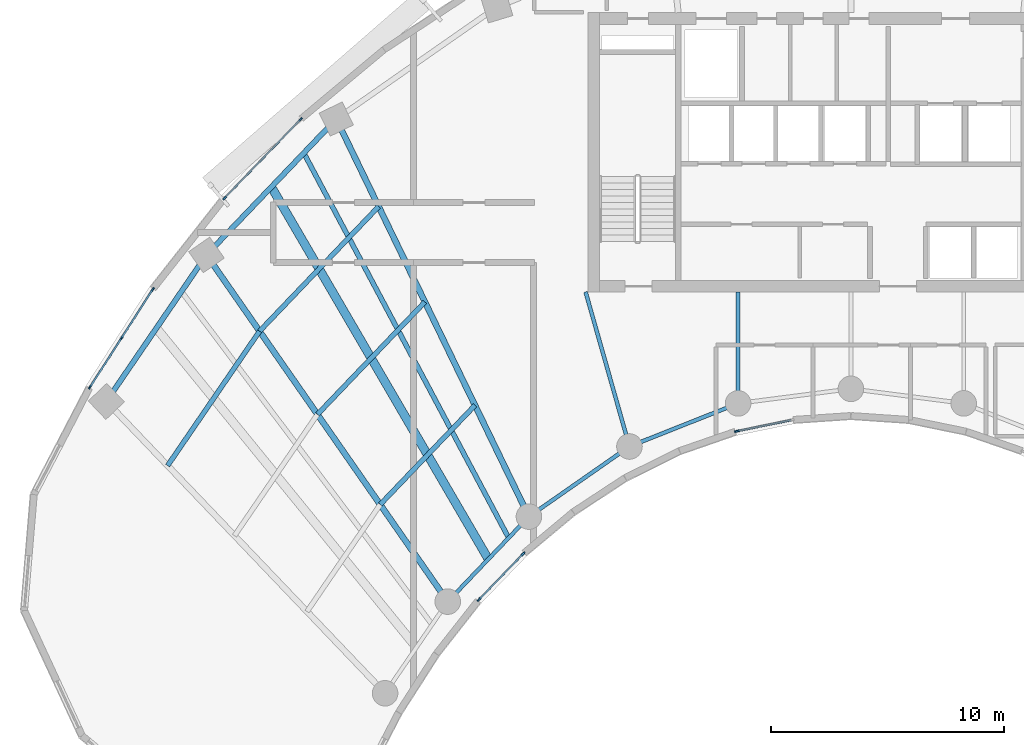
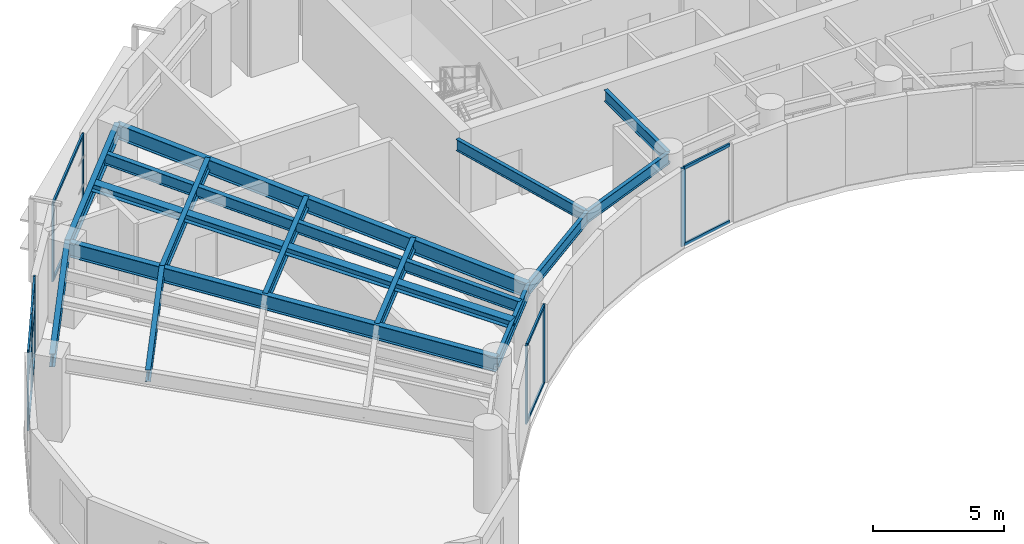
# One storey, part 2 of 14: 20 members, 15 beams, 4 elements without a shape of their own.
"""IFC4 building model written with IfcOpenShell, lengths in metres."""

from ifc_helpers import new_model, si_unit, direction, frame, origin, origin_2d, place, context, subcontext, project, spatial, rectangle, i_section, extrude, source, transform, mapped, material, layer, layer_set, material_profile, profile_set, type_object, type_shapes, element, aggregate, save


model = new_model("IFC4")

# Units and contexts
model_context = context("Model", 3, precision=1e-05, world=origin(), true_north=direction((0.0, 1.0)))
body_context = subcontext(model_context, "Body", "Model", "MODEL_VIEW")
ifc_project = project(units=[si_unit("LENGTHUNIT", "METRE"), si_unit("AREAUNIT", "SQUARE_METRE"), si_unit("VOLUMEUNIT", "CUBIC_METRE"), si_unit("PLANEANGLEUNIT", "RADIAN"), si_unit("MASSUNIT", "GRAM", prefix="KILO")], contexts=[model_context])

# Site, building, storey
site_placement = place(None, origin())
site = spatial("IfcSite", under=ifc_project, at=site_placement, CompositionType="ELEMENT")
building_placement = place(site_placement, origin())
building = spatial("IfcBuilding", under=site, at=building_placement, Name="Breltana Convention Tower", CompositionType="ELEMENT")
storey_placement = place(building_placement, frame((0.0, 0.0, 177.89990234375)))
storey = spatial("IfcBuildingStorey", under=building, at=storey_placement, Name="L43", CompositionType="ELEMENT", Elevation=177.89990234375)

# Beams
ifc_material_1 = material(Name="Steel ASTM A992 Grade 50", Category="steel")
ifc_material_profile_1 = material_profile(ifc_material_1, i_section(OverallWidth=0.2099609375, OverallDepth=0.537109375, WebThickness=0.010986328125, FlangeThickness=0.017333984375, at=origin_2d()), Name="W21X68")
ifc_profile_set_1 = profile_set([ifc_material_profile_1], Name="Steel ASTM A992 Grade 50")
beam_type_1 = type_object("IfcBeamType", Name="BM-JSG-04", PredefinedType="JOIST", material=ifc_profile_set_1)
shared_shape_1 = source(origin(), body_context, "Body", "SweptSolid", [
    extrude(i_section(OverallWidth=0.2099609375, OverallDepth=0.537109375, WebThickness=0.010986328125, FlangeThickness=0.017333984375, at=origin_2d()), origin(), (0.0, 0.0, 1.0), 6.997314453125),
])
beam_1_placement = place(storey_placement, frame((18.641845703125, 52.735595703125, 3.381591796875), z_axis=(0.564468756361, 0.825454434292, 0.0), x_axis=(-0.825454434292, 0.564468756361, 0.0)))
element("IfcBeam", 1, at=beam_1_placement, inside=storey, type_object=beam_type_1, Name="L43 Composite Floor Joist 01.3", PredefinedType="JOIST", context=body_context, shape_type="MappedRepresentation", body=[
    mapped(shared_shape_1, transform((0.0, 0.0, 0.0), scale=1.0)),
])
shared_shape_2 = source(origin(), body_context, "Body", "SweptSolid", [
    extrude(i_section(OverallWidth=0.2099609375, OverallDepth=0.537109375, WebThickness=0.010986328125, FlangeThickness=0.017333984375, at=origin_2d()), origin(), (0.0, 0.0, 1.0), 5.8974609375),
])
beam_2_placement = place(storey_placement, frame((27.774658203125, 51.063232421875, 3.381591796875), z_axis=(0.690713978666, 0.723128065888, 0.0), x_axis=(-0.723128065888, 0.690713978666, 0.0)))
element("IfcBeam", 2, at=beam_2_placement, inside=storey, type_object=beam_type_1, Name="L43 Composite Floor Joist 02.1", PredefinedType="JOIST", context=body_context, shape_type="MappedRepresentation", body=[
    mapped(shared_shape_2, transform((0.0, 0.0, 0.0), scale=1.0)),
])
shared_shape_3 = source(origin(), body_context, "Body", "SweptSolid", [
    extrude(i_section(OverallWidth=0.2099609375, OverallDepth=0.537109375, WebThickness=0.010986328125, FlangeThickness=0.017333984375, at=origin_2d()), origin(), (0.0, 0.0, 1.0), 6.68359375),
])
beam_3_placement = place(storey_placement, frame((25.079345703125, 54.936279296875, 3.381591796875), z_axis=(0.690720705885, 0.723121640156, 0.0), x_axis=(-0.723121640156, 0.690720705885, 0.0)))
element("IfcBeam", 3, at=beam_3_placement, inside=storey, type_object=beam_type_1, Name="L43 Composite Floor Joist 02.2", PredefinedType="JOIST", context=body_context, shape_type="MappedRepresentation", body=[
    mapped(shared_shape_3, transform((0.0, 0.0, 0.0), scale=1.0)),
])
shared_shape_4 = source(origin(), body_context, "Body", "SweptSolid", [
    extrude(i_section(OverallWidth=0.2099609375, OverallDepth=0.537109375, WebThickness=0.010986328125, FlangeThickness=0.017333984375, at=origin_2d()), origin(), (0.0, 0.0, 1.0), 7.40869140625),
])
beam_4_placement = place(storey_placement, frame((22.591552734375, 58.511474609375, 3.381591796875), z_axis=(0.690724936208, 0.723117599358, 0.0), x_axis=(-0.723117599358, 0.690724936208, 0.0)))
element("IfcBeam", 4, at=beam_4_placement, inside=storey, type_object=beam_type_1, Name="L43 Composite Floor Joist 02.3", PredefinedType="JOIST", context=body_context, shape_type="MappedRepresentation", body=[
    mapped(shared_shape_4, transform((0.0, 0.0, 0.0), scale=1.0)),
])
ifc_material_profile_2 = material_profile(ifc_material_1, i_section(OverallWidth=0.368896484375, OverallDepth=0.35595703125, WebThickness=0.01123046875, FlangeThickness=0.01806640625, at=origin_2d()), Name="W14X90")
ifc_profile_set_2 = profile_set([ifc_material_profile_2], Name="Steel ASTM A992 Grade 50")
beam_type_2 = type_object("IfcBeamType", Name="BM-JSG-09", PredefinedType="JOIST", material=ifc_profile_set_2)
shared_shape_5 = source(origin(), body_context, "Body", "SweptSolid", [
    extrude(i_section(OverallWidth=0.368896484375, OverallDepth=0.35595703125, WebThickness=0.01123046875, FlangeThickness=0.01806640625, at=origin_2d()), origin(), (0.0, 0.0, 1.0), 18.50830078125),
])
beam_5_placement = place(storey_placement, frame((32.421630859375, 48.71875, 3.47216796875), z_axis=(-0.50368319637, 0.863888440537, 0.0), x_axis=(-0.863888440537, -0.50368319637, 0.0)))
element("IfcBeam", 5, at=beam_5_placement, inside=storey, type_object=beam_type_2, Name="L43 Mid-Bay Radial Trimmer 02", PredefinedType="JOIST", context=body_context, shape_type="MappedRepresentation", body=[
    mapped(shared_shape_5, transform((0.0, 0.0, 0.0), scale=1.0)),
])
shared_shape_6 = source(origin(), body_context, "Body", "SweptSolid", [
    extrude(i_section(OverallWidth=0.2099609375, OverallDepth=0.537109375, WebThickness=0.010986328125, FlangeThickness=0.017333984375, at=origin_2d()), origin(), (0.0, 0.0, 1.0), 18.731689453125),
])
beam_6_placement = place(storey_placement, frame((33.2939453125, 49.6318359375, 3.381591796875), z_axis=(-0.469820250451, 0.882762104004, 0.0), x_axis=(-0.882762104004, -0.469820250451, 0.0)))
element("IfcBeam", 6, at=beam_6_placement, inside=storey, type_object=beam_type_1, Name="L43 Quarter-Bay Radial Trimmer 02", PredefinedType="JOIST", context=body_context, shape_type="MappedRepresentation", body=[
    mapped(shared_shape_6, transform((0.0, 0.0, 0.0), scale=1.0)),
])
ifc_material_profile_3 = material_profile(ifc_material_1, i_section(OverallWidth=0.25390625, OverallDepth=0.68798828125, WebThickness=0.01318359375, FlangeThickness=0.02099609375, at=origin_2d()), Name="W27X102")
ifc_profile_set_3 = profile_set([ifc_material_profile_3], Name="Steel ASTM A992 Grade 50")
beam_type_3 = type_object("IfcBeamType", Name="BM-RG-W27X102", PredefinedType="USERDEFINED", material=ifc_profile_set_3)
shared_shape_7 = source(origin(), body_context, "Body", "SweptSolid", [
    extrude(i_section(OverallWidth=0.25390625, OverallDepth=0.68798828125, WebThickness=0.01318359375, FlangeThickness=0.02099609375, at=origin_2d()), origin(), (0.0, 0.0, 1.0), 18.1484375),
])
beam_7_placement = place(storey_placement, frame((30.67724609375, 46.892333984375, 3.30615234375), z_axis=(-0.571207556098, 0.820805657788, 0.0), x_axis=(-0.820805657788, -0.571207556098, 0.0)))
element("IfcBeam", 7, at=beam_7_placement, inside=storey, type_object=beam_type_3, Name="L43 Radial Floor Girder R02", ObjectType="GIRDER", PredefinedType="USERDEFINED", context=body_context, shape_type="MappedRepresentation", body=[
    mapped(shared_shape_7, transform((0.0, 0.0, 0.0), scale=1.0)),
])
shared_shape_8 = source(origin(), body_context, "Body", "SweptSolid", [
    extrude(i_section(OverallWidth=0.25390625, OverallDepth=0.68798828125, WebThickness=0.01318359375, FlangeThickness=0.02099609375, at=origin_2d()), origin(), (0.0, 0.0, 1.0), 18.982421875),
])
beam_8_placement = place(storey_placement, frame((34.166259765625, 50.544921875, 3.30615234375), z_axis=(-0.436118560343, 0.89988921614, 0.0), x_axis=(-0.89988921614, -0.436118560343, 0.0)))
element("IfcBeam", 8, at=beam_8_placement, inside=storey, type_object=beam_type_3, Name="L43 Radial Floor Girder R03", ObjectType="GIRDER", PredefinedType="USERDEFINED", context=body_context, shape_type="MappedRepresentation", body=[
    mapped(shared_shape_8, transform((0.0, 0.0, 0.0), scale=1.0)),
])
ifc_material_profile_4 = material_profile(ifc_material_1, i_section(OverallWidth=0.166015625, OverallDepth=0.534912109375, WebThickness=0.01025390625, FlangeThickness=0.0166015625, at=origin_2d()), Name="W21X57")
ifc_profile_set_4 = profile_set([ifc_material_profile_4], Name="Steel ASTM A992 Grade 50")
beam_type_4 = type_object("IfcBeamType", Name="BM-BM-W21X57", PredefinedType="BEAM", material=ifc_profile_set_4)
shared_shape_9 = source(origin(), body_context, "Body", "SweptSolid", [
    extrude(i_section(OverallWidth=0.166015625, OverallDepth=0.534912109375, WebThickness=0.01025390625, FlangeThickness=0.0166015625, at=origin_2d()), origin(), (0.0, 0.0, 1.0), 6.904541015625),
])
type_shapes(beam_type_4, [shared_shape_9])
beam_9_placement = place(storey_placement, frame((36.60009765625, 60.199951171875, 3.382568359375), z_axis=(0.273006781054, -0.962012108811, 0.0), x_axis=(0.962012108811, 0.273006781054, 0.0)))
element("IfcBeam", 9, at=beam_9_placement, inside=storey, type_object=beam_type_4, Name="L43 South Core Tie Girder R04", PredefinedType="BEAM", context=body_context, shape_type="MappedRepresentation", body=[
    mapped(shared_shape_9, transform((0.0, 0.0, 0.0), scale=1.0)),
])
shared_shape_10 = source(origin(), body_context, "Body", "SweptSolid", [
    extrude(i_section(OverallWidth=0.166015625, OverallDepth=0.534912109375, WebThickness=0.01025390625, FlangeThickness=0.0166015625, at=origin_2d()), origin(), (0.0, 0.0, 1.0), 4.789306640625),
])
beam_10_placement = place(storey_placement, frame((43.153564453125, 60.199951171875, 3.382568359375), z_axis=(0.0, -1.0, 0.0), x_axis=(1.0, 0.0, 0.0)))
element("IfcBeam", 10, at=beam_10_placement, inside=storey, type_object=beam_type_4, Name="L43 South Core Tie Girder R05", PredefinedType="BEAM", context=body_context, shape_type="MappedRepresentation", body=[
    mapped(shared_shape_10, transform((0.0, 0.0, 0.0), scale=1.0)),
])
ifc_material_profile_5 = material_profile(ifc_material_1, i_section(OverallWidth=0.22802734375, OverallDepth=0.60791015625, WebThickness=0.01123046875, FlangeThickness=0.017333984375, at=origin_2d()), Name="W24X76")
ifc_profile_set_5 = profile_set([ifc_material_profile_5], Name="Steel ASTM A992 Grade 50")
beam_type_5 = type_object("IfcBeamType", Name="BM-SP-W24X76", PredefinedType="SPANDREL", material=ifc_profile_set_5)
shared_shape_11 = source(origin(), body_context, "Body", "SweptSolid", [
    extrude(i_section(OverallWidth=0.22802734375, OverallDepth=0.60791015625, WebThickness=0.01123046875, FlangeThickness=0.017333984375, at=origin_2d()), origin(), (0.0, 0.0, 1.0), 7.625),
])
type_shapes(beam_type_5, [shared_shape_11])
beam_11_placement = place(storey_placement, frame((16.0068359375, 55.494384765625, 3.34619140625), z_axis=(0.564452031902, 0.825465870694, 0.0), x_axis=(-0.825465870694, 0.564452031902, 0.0)))
element("IfcBeam", 11, at=beam_11_placement, inside=storey, type_object=beam_type_5, Name="L43 Outer Spandrel Beam 01", PredefinedType="SPANDREL", context=body_context, shape_type="MappedRepresentation", body=[
    mapped(shared_shape_11, transform((0.0, 0.0, 0.0), scale=1.0)),
])
shared_shape_12 = source(origin(), body_context, "Body", "SweptSolid", [
    extrude(i_section(OverallWidth=0.166015625, OverallDepth=0.534912109375, WebThickness=0.01025390625, FlangeThickness=0.0166015625, at=origin_2d()), origin(), (0.0, 0.0, 1.0), 5.05126953125),
])
beam_12_placement = place(storey_placement, frame((30.67724609375, 46.892333984375, 3.382568359375), z_axis=(0.690729753845, 0.7231129975, 0.0), x_axis=(-0.7231129975, 0.690729753845, 0.0)))
element("IfcBeam", 12, at=beam_12_placement, inside=storey, type_object=beam_type_4, Name="L43 Inner Ring Beam 02", PredefinedType="BEAM", context=body_context, shape_type="MappedRepresentation", body=[
    mapped(shared_shape_12, transform((0.0, 0.0, 0.0), scale=1.0)),
])
shared_shape_13 = source(origin(), body_context, "Body", "SweptSolid", [
    extrude(i_section(OverallWidth=0.22802734375, OverallDepth=0.60791015625, WebThickness=0.01123046875, FlangeThickness=0.017333984375, at=origin_2d()), origin(), (0.0, 0.0, 1.0), 8.073974609375),
])
beam_13_placement = place(storey_placement, frame((20.310791015625, 61.78857421875, 3.34619140625), z_axis=(0.69072885448, 0.723113856588, 0.0), x_axis=(-0.723113856588, 0.69072885448, 0.0)))
element("IfcBeam", 13, at=beam_13_placement, inside=storey, type_object=beam_type_5, Name="L43 Outer Spandrel Beam 02", PredefinedType="SPANDREL", context=body_context, shape_type="MappedRepresentation", body=[
    mapped(shared_shape_13, transform((0.0, 0.0, 0.0), scale=1.0)),
])
shared_shape_14 = source(origin(), body_context, "Body", "SweptSolid", [
    extrude(i_section(OverallWidth=0.166015625, OverallDepth=0.534912109375, WebThickness=0.01025390625, FlangeThickness=0.0166015625, at=origin_2d()), origin(), (0.0, 0.0, 1.0), 5.265869140625),
])
beam_14_placement = place(storey_placement, frame((34.166259765625, 50.544921875, 3.382568359375), z_axis=(0.820167429517, 0.572123577176, 0.0), x_axis=(-0.572123577176, 0.820167429517, 0.0)))
element("IfcBeam", 14, at=beam_14_placement, inside=storey, type_object=beam_type_4, Name="L43 Inner Ring Beam 03", PredefinedType="BEAM", context=body_context, shape_type="MappedRepresentation", body=[
    mapped(shared_shape_14, transform((0.0, 0.0, 0.0), scale=1.0)),
])
shared_shape_15 = source(origin(), body_context, "Body", "SweptSolid", [
    extrude(i_section(OverallWidth=0.166015625, OverallDepth=0.534912109375, WebThickness=0.01025390625, FlangeThickness=0.0166015625, at=origin_2d()), origin(), (0.0, 0.0, 1.0), 5.022705078125),
])
beam_15_placement = place(storey_placement, frame((38.485107421875, 53.5576171875, 3.382568359375), z_axis=(0.929458966248, 0.368925507469, 0.0), x_axis=(-0.368925507469, 0.929458966248, 0.0)))
element("IfcBeam", 15, at=beam_15_placement, inside=storey, type_object=beam_type_4, Name="L43 Inner Ring Beam 04", PredefinedType="BEAM", context=body_context, shape_type="MappedRepresentation", body=[
    mapped(shared_shape_15, transform((0.0, 0.0, 0.0), scale=1.0)),
])

# Curtain wall, member
ifc_material_2 = material(Name="Aluminium Anodised Bronze Frame", Category="aluminium")
ifc_layer_1 = layer(ifc_material_2, 0.18994140625, Name="Aluminium Anodised Bronze Frame")
ifc_layer_set_1 = layer_set([ifc_layer_1], Name="Aluminium Anodised Bronze Frame")
curtain_wall_type_1 = type_object("IfcCurtainWallType", Name="CW-SYS-1", PredefinedType="NOTDEFINED", material=ifc_layer_set_1)
curtain_wall_1_placement = place(storey_placement, origin())
curtain_wall_1 = element("IfcCurtainWall", 16, at=curtain_wall_1_placement, inside=storey, type_object=curtain_wall_type_1, Name="L43 inner south-court glazing 4", PredefinedType="NOTDEFINED")
ifc_material_3 = material(Name="Aluminium Anodised Bronze", Category="aluminium")
ifc_material_profile_6 = material_profile(ifc_material_3, rectangle(XDim=0.080078125, YDim=0.199951171875, at=origin_2d()), Name="CWM-80X200")
ifc_profile_set_6 = profile_set([ifc_material_profile_6], Name="Aluminium Anodised Bronze")
member_type_1 = type_object("IfcMemberType", Name="CWM-200", PredefinedType="MULLION", material=ifc_profile_set_6)
shared_shape_16 = source(origin(), body_context, "Body", "SweptSolid", [
    extrude(rectangle(XDim=0.080078125, YDim=0.199951171875, at=origin_2d()), origin(), (0.0, 0.0, 1.0), 3.650146484375),
])
member_1_placement = place(storey_placement, frame((43.0966796875, 54.212646484375, 0.0), z_axis=(0.0, 0.0, 1.0), x_axis=(0.200861178299, -0.979619715529, 0.0)))
member_1 = element("IfcMember", 17, at=member_1_placement, type_object=member_type_1, Name="CW-01 mullion 2", PredefinedType="MULLION", context=body_context, shape_type="MappedRepresentation", body=[
    mapped(shared_shape_16, transform((0.0, 0.0, 0.0), scale=1.0)),
])

# Curtain wall, members
curtain_wall_2_placement = place(storey_placement, origin())
curtain_wall_2 = element("IfcCurtainWall", 18, at=curtain_wall_2_placement, inside=storey, type_object=curtain_wall_type_1, Name="L43 inner south-court glazing 5", PredefinedType="NOTDEFINED")
member_2_placement = place(storey_placement, frame((33.917236328125, 48.944580078125, 0.0), z_axis=(0.0, 0.0, 1.0), x_axis=(0.719389819694, -0.694606570168, 0.0)))
member_2 = element("IfcMember", 19, at=member_2_placement, type_object=member_type_1, Name="CW-01 mullion 1", PredefinedType="MULLION", context=body_context, shape_type="MappedRepresentation", body=[
    mapped(shared_shape_16, transform((0.0, 0.0, 0.0), scale=1.0)),
])
member_3_placement = place(storey_placement, frame((32.019287109375, 46.978759765625, 0.0), z_axis=(0.0, 0.0, 1.0), x_axis=(0.719389819694, -0.694606570168, 0.0)))
member_3 = element("IfcMember", 20, at=member_3_placement, type_object=member_type_1, Name="CW-01 mullion 2", PredefinedType="MULLION", context=body_context, shape_type="MappedRepresentation", body=[
    mapped(shared_shape_16, transform((0.0, 0.0, 0.0), scale=1.0)),
])

ifc_layer_2 = layer(ifc_material_2, 0.2099609375, Name="Aluminium Anodised Bronze Frame")
ifc_layer_set_2 = layer_set([ifc_layer_2], Name="Aluminium Anodised Bronze Frame")
curtain_wall_type_2 = type_object("IfcCurtainWallType", Name="CW-SYS-3", PredefinedType="NOTDEFINED", material=ifc_layer_set_2)
curtain_wall_3_placement = place(storey_placement, origin())
curtain_wall_3 = element("IfcCurtainWall", 21, at=curtain_wall_3_placement, inside=storey, type_object=curtain_wall_type_2, Name="L43 outer double-skin inner glazing 1", PredefinedType="NOTDEFINED")
ifc_material_profile_7 = material_profile(ifc_material_3, rectangle(XDim=0.070068359375, YDim=0.175048828125, at=origin_2d()), Name="CWM-70X175")
ifc_profile_set_7 = profile_set([ifc_material_profile_7], Name="Aluminium Anodised Bronze")
member_type_2 = type_object("IfcMemberType", Name="CWM-175", PredefinedType="MULLION", material=ifc_profile_set_7)
shared_shape_17 = source(origin(), body_context, "Body", "SweptSolid", [
    extrude(rectangle(XDim=0.070068359375, YDim=0.175048828125, at=origin_2d()), origin(), (0.0, 0.0, 1.0), 3.650146484375),
])
member_4_placement = place(storey_placement, frame((15.304443359375, 56.10498046875, 0.0), z_axis=(0.0, 0.0, 1.0), x_axis=(-0.841554203529, 0.54017267843, 0.0)))
member_4 = element("IfcMember", 22, at=member_4_placement, type_object=member_type_2, Name="CW-03 mullion 1", PredefinedType="MULLION", context=body_context, shape_type="MappedRepresentation", body=[
    mapped(shared_shape_17, transform((0.0, 0.0, 0.0), scale=1.0)),
])
member_5_placement = place(storey_placement, frame((16.6533203125, 58.20654296875, 0.0), z_axis=(0.0, 0.0, 1.0), x_axis=(-0.841554203529, 0.54017267843, 0.0)))
member_5 = element("IfcMember", 23, at=member_5_placement, type_object=member_type_2, Name="CW-03 mullion 2", PredefinedType="MULLION", context=body_context, shape_type="MappedRepresentation", body=[
    mapped(shared_shape_17, transform((0.0, 0.0, 0.0), scale=1.0)),
])
member_6_placement = place(storey_placement, frame((18.00244140625, 60.308349609375, 0.0), z_axis=(0.0, 0.0, 1.0), x_axis=(-0.841554203529, 0.54017267843, 0.0)))
member_6 = element("IfcMember", 24, at=member_6_placement, type_object=member_type_2, Name="CW-03 mullion 3", PredefinedType="MULLION", context=body_context, shape_type="MappedRepresentation", body=[
    mapped(shared_shape_17, transform((0.0, 0.0, 0.0), scale=1.0)),
])

curtain_wall_4_placement = place(storey_placement, origin())
curtain_wall_4 = element("IfcCurtainWall", 25, at=curtain_wall_4_placement, inside=storey, type_object=curtain_wall_type_2, Name="L43 outer double-skin inner glazing 2", PredefinedType="NOTDEFINED")
member_7_placement = place(storey_placement, frame((21.087890625, 64.2314453125, 0.0), z_axis=(0.0, 0.0, 1.0), x_axis=(-0.719393523398, 0.694602734297, 0.0)))
member_7 = element("IfcMember", 26, at=member_7_placement, type_object=member_type_2, Name="CW-03 mullion 1", PredefinedType="MULLION", context=body_context, shape_type="MappedRepresentation", body=[
    mapped(shared_shape_17, transform((0.0, 0.0, 0.0), scale=1.0)),
])
member_8_placement = place(storey_placement, frame((24.356689453125, 67.616943359375, 0.0), z_axis=(0.0, 0.0, 1.0), x_axis=(-0.719393523398, 0.694602734297, 0.0)))
member_8 = element("IfcMember", 27, at=member_8_placement, type_object=member_type_2, Name="CW-03 mullion 2", PredefinedType="MULLION", context=body_context, shape_type="MappedRepresentation", body=[
    mapped(shared_shape_17, transform((0.0, 0.0, 0.0), scale=1.0)),
])

# Member
ifc_material_profile_8 = material_profile(ifc_material_3, rectangle(XDim=0.080078125, YDim=0.139892578125, at=origin_2d()), Name="CWT-80X140")
ifc_profile_set_8 = profile_set([ifc_material_profile_8], Name="Aluminium Anodised Bronze")
member_type_3 = type_object("IfcMemberType", Name="CWT-140", PredefinedType="USERDEFINED", material=ifc_profile_set_8)
shared_shape_18 = source(origin(), body_context, "Body", "SweptSolid", [
    extrude(rectangle(XDim=0.080078125, YDim=0.139892578125, at=origin_2d()), origin(), (0.0, 0.0, 1.0), 2.427490234375),
])
member_9_placement = place(storey_placement, frame((15.3232421875, 56.134521484375, 0.0400390625), z_axis=(0.540203388332, 0.841534490817, 0.0), x_axis=(-0.841534490817, 0.540203388332, 0.0)))
member_9 = element("IfcMember", 28, at=member_9_placement, type_object=member_type_3, Name="CW-03 transom 1.1", ObjectType="TRANSOM", PredefinedType="USERDEFINED", context=body_context, shape_type="MappedRepresentation", body=[
    mapped(shared_shape_18, transform((0.0, 0.0, 0.0), scale=1.0)),
])

member_10_placement = place(storey_placement, frame((15.3232421875, 56.134521484375, 2.37255859375), z_axis=(0.540203388332, 0.841534490817, 0.0), x_axis=(-0.841534490817, 0.540203388332, 0.0)))
member_10 = element("IfcMember", 29, at=member_10_placement, type_object=member_type_3, Name="CW-03 transom 1.2", ObjectType="TRANSOM", PredefinedType="USERDEFINED", context=body_context, shape_type="MappedRepresentation", body=[
    mapped(shared_shape_18, transform((0.0, 0.0, 0.0), scale=1.0)),
])

member_11_placement = place(storey_placement, frame((15.3232421875, 56.134521484375, 3.610107421875), z_axis=(0.540203388332, 0.841534490817, 0.0), x_axis=(-0.841534490817, 0.540203388332, 0.0)))
member_11 = element("IfcMember", 30, at=member_11_placement, type_object=member_type_3, Name="CW-03 transom 1.3", ObjectType="TRANSOM", PredefinedType="USERDEFINED", context=body_context, shape_type="MappedRepresentation", body=[
    mapped(shared_shape_18, transform((0.0, 0.0, 0.0), scale=1.0)),
])

shared_shape_19 = source(origin(), body_context, "Body", "SweptSolid", [
    extrude(rectangle(XDim=0.080078125, YDim=0.139892578125, at=origin_2d()), origin(), (0.0, 0.0, 1.0), 2.42724609375),
])
member_12_placement = place(storey_placement, frame((16.67236328125, 58.236083984375, 0.0400390625), z_axis=(0.540132155308, 0.841580212934, 0.0), x_axis=(-0.841580212934, 0.540132155308, 0.0)))
member_12 = element("IfcMember", 31, at=member_12_placement, type_object=member_type_3, Name="CW-03 transom 2.1", ObjectType="TRANSOM", PredefinedType="USERDEFINED", context=body_context, shape_type="MappedRepresentation", body=[
    mapped(shared_shape_19, transform((0.0, 0.0, 0.0), scale=1.0)),
])

member_13_placement = place(storey_placement, frame((16.67236328125, 58.236083984375, 2.37255859375), z_axis=(0.540132155308, 0.841580212934, 0.0), x_axis=(-0.841580212934, 0.540132155308, 0.0)))
member_13 = element("IfcMember", 32, at=member_13_placement, type_object=member_type_3, Name="CW-03 transom 2.2", ObjectType="TRANSOM", PredefinedType="USERDEFINED", context=body_context, shape_type="MappedRepresentation", body=[
    mapped(shared_shape_19, transform((0.0, 0.0, 0.0), scale=1.0)),
])

member_14_placement = place(storey_placement, frame((16.67236328125, 58.236083984375, 3.610107421875), z_axis=(0.540132155308, 0.841580212934, 0.0), x_axis=(-0.841580212934, 0.540132155308, 0.0)))
member_14 = element("IfcMember", 33, at=member_14_placement, type_object=member_type_3, Name="CW-03 transom 2.3", ObjectType="TRANSOM", PredefinedType="USERDEFINED", context=body_context, shape_type="MappedRepresentation", body=[
    mapped(shared_shape_19, transform((0.0, 0.0, 0.0), scale=1.0)),
])

aggregate(curtain_wall_3, [member_4, member_5, member_6, member_9, member_10, member_11, member_12, member_13, member_14])

shared_shape_20 = source(origin(), body_context, "Body", "SweptSolid", [
    extrude(rectangle(XDim=0.080078125, YDim=0.139892578125, at=origin_2d()), origin(), (0.0, 0.0, 1.0), 4.635986328125),
])
member_15_placement = place(storey_placement, frame((21.1123046875, 64.256591796875, 0.0400390625), z_axis=(0.694569137919, 0.719425960506, 0.0), x_axis=(-0.719425960506, 0.694569137919, 0.0)))
member_15 = element("IfcMember", 34, at=member_15_placement, type_object=member_type_3, Name="CW-03 transom 1.1", ObjectType="TRANSOM", PredefinedType="USERDEFINED", context=body_context, shape_type="MappedRepresentation", body=[
    mapped(shared_shape_20, transform((0.0, 0.0, 0.0), scale=1.0)),
])

member_16_placement = place(storey_placement, frame((21.1123046875, 64.256591796875, 3.610107421875), z_axis=(0.694569137919, 0.719425960506, 0.0), x_axis=(-0.719425960506, 0.694569137919, 0.0)))
member_16 = element("IfcMember", 35, at=member_16_placement, type_object=member_type_3, Name="CW-03 transom 1.2", ObjectType="TRANSOM", PredefinedType="USERDEFINED", context=body_context, shape_type="MappedRepresentation", body=[
    mapped(shared_shape_20, transform((0.0, 0.0, 0.0), scale=1.0)),
])

aggregate(curtain_wall_4, [member_7, member_8, member_15, member_16])

shared_shape_21 = source(origin(), body_context, "Body", "SweptSolid", [
    extrude(rectangle(XDim=0.080078125, YDim=0.139892578125, at=origin_2d()), origin(), (0.0, 0.0, 1.0), 2.331298828125),
])
member_17_placement = place(storey_placement, frame((45.419677734375, 54.688720703125, 0.0400390625), z_axis=(-0.979618555343, -0.200866836556, 0.0), x_axis=(0.200866836556, -0.979618555343, 0.0)))
member_17 = element("IfcMember", 36, at=member_17_placement, type_object=member_type_3, Name="CW-01 transom 1.1", ObjectType="TRANSOM", PredefinedType="USERDEFINED", context=body_context, shape_type="MappedRepresentation", body=[
    mapped(shared_shape_21, transform((0.0, 0.0, 0.0), scale=1.0)),
])

member_18_placement = place(storey_placement, frame((45.419677734375, 54.688720703125, 3.610107421875), z_axis=(-0.979618555343, -0.200866836556, 0.0), x_axis=(0.200866836556, -0.979618555343, 0.0)))
member_18 = element("IfcMember", 37, at=member_18_placement, type_object=member_type_3, Name="CW-01 transom 1.2", ObjectType="TRANSOM", PredefinedType="USERDEFINED", context=body_context, shape_type="MappedRepresentation", body=[
    mapped(shared_shape_21, transform((0.0, 0.0, 0.0), scale=1.0)),
])

aggregate(curtain_wall_1, [member_1, member_17, member_18])

shared_shape_22 = source(origin(), body_context, "Body", "SweptSolid", [
    extrude(rectangle(XDim=0.080078125, YDim=0.139892578125, at=origin_2d()), origin(), (0.0, 0.0, 1.0), 2.652587890625),
])
member_19_placement = place(storey_placement, frame((33.8896484375, 48.915771484375, 0.0400390625), z_axis=(-0.694619151454, -0.719377671626, 0.0), x_axis=(0.719377671626, -0.694619151454, 0.0)))
member_19 = element("IfcMember", 38, at=member_19_placement, type_object=member_type_3, Name="CW-01 transom 1.1", ObjectType="TRANSOM", PredefinedType="USERDEFINED", context=body_context, shape_type="MappedRepresentation", body=[
    mapped(shared_shape_22, transform((0.0, 0.0, 0.0), scale=1.0)),
])

member_20_placement = place(storey_placement, frame((33.8896484375, 48.915771484375, 3.610107421875), z_axis=(-0.694619151454, -0.719377671626, 0.0), x_axis=(0.719377671626, -0.694619151454, 0.0)))
member_20 = element("IfcMember", 39, at=member_20_placement, type_object=member_type_3, Name="CW-01 transom 1.2", ObjectType="TRANSOM", PredefinedType="USERDEFINED", context=body_context, shape_type="MappedRepresentation", body=[
    mapped(shared_shape_22, transform((0.0, 0.0, 0.0), scale=1.0)),
])

aggregate(curtain_wall_2, [member_2, member_3, member_19, member_20])

save(model, "model.ifc")
